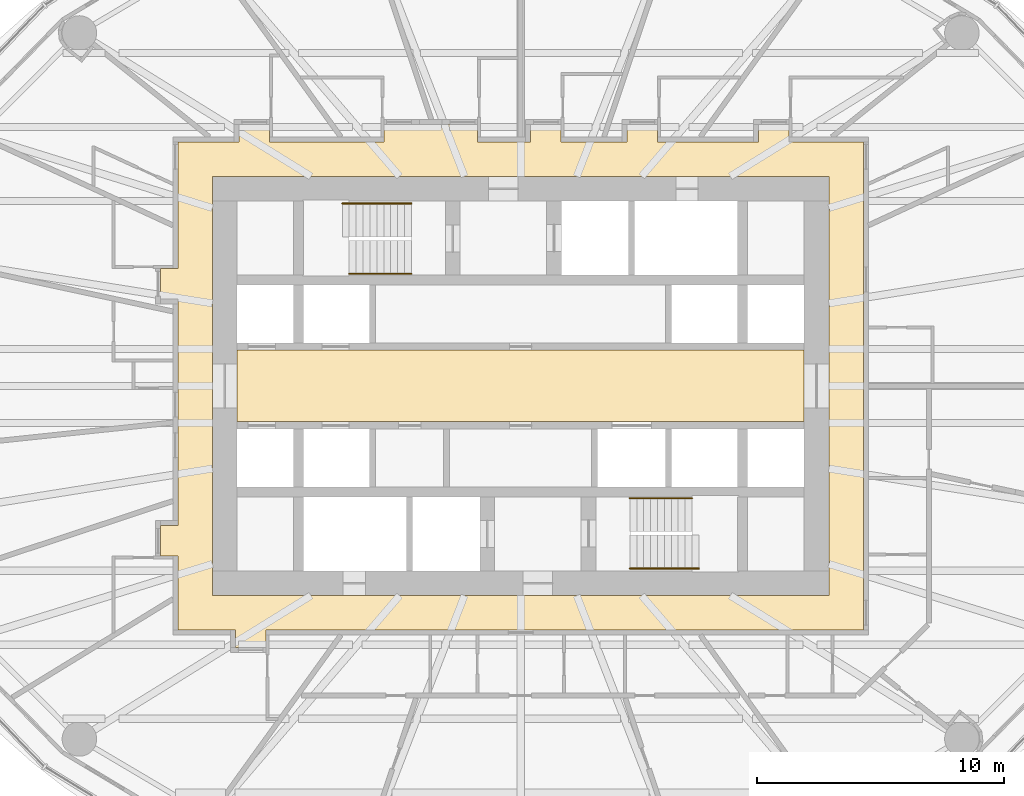
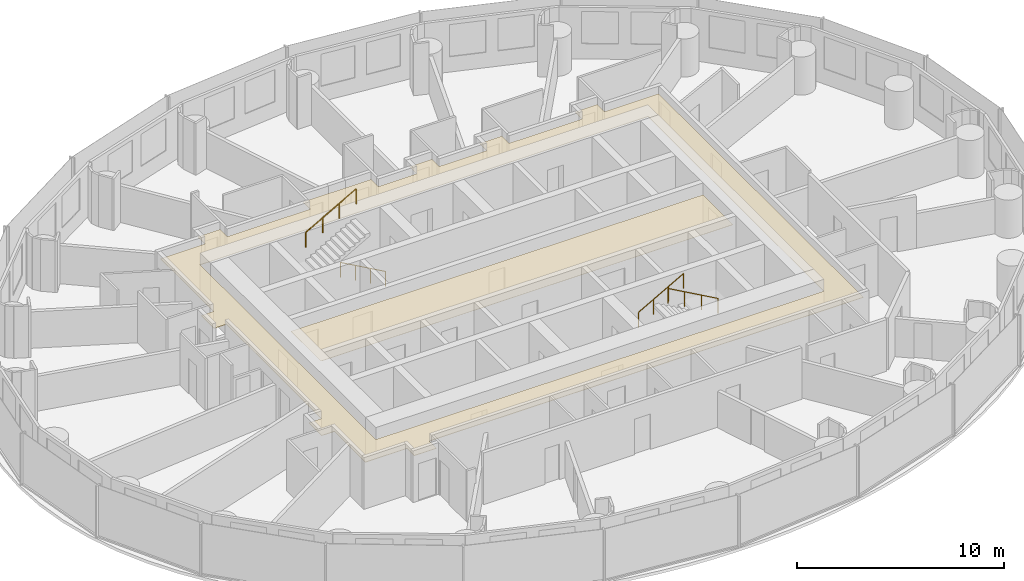
# One storey, part 14 of 14: 4 railings, 2 coverings.
"""IFC4 building model written with IfcOpenShell, lengths in metres."""

from ifc_helpers import new_model, si_unit, direction, frame, origin, origin_2d, place, context, subcontext, project, spatial, polyline, circle, outline, extrude, material, layer, layer_set, type_object, element, save


model = new_model("IFC4")

# Units and contexts
model_context = context("Model", 3, precision=1e-05, world=origin(), true_north=direction((0.0, 1.0)))
body_context = subcontext(model_context, "Body", "Model", "MODEL_VIEW")
ifc_project = project(units=[si_unit("LENGTHUNIT", "METRE"), si_unit("AREAUNIT", "SQUARE_METRE"), si_unit("VOLUMEUNIT", "CUBIC_METRE"), si_unit("PLANEANGLEUNIT", "RADIAN"), si_unit("MASSUNIT", "GRAM", prefix="KILO")], contexts=[model_context])

# Site, building, storey
site_placement = place(None, origin())
site = spatial("IfcSite", under=ifc_project, at=site_placement, CompositionType="ELEMENT")
building_placement = place(site_placement, origin())
building = spatial("IfcBuilding", under=site, at=building_placement, Name="Hankou Lantern Tower", CompositionType="ELEMENT")
storey_placement = place(building_placement, frame((0.0, 0.0, 90.300048828125)))
storey = spatial("IfcBuildingStorey", under=building, at=storey_placement, Name="L23", CompositionType="ELEMENT", Elevation=90.300048828125)

# Coverings
ifc_material_1 = material(Name="Black painted aluminium linear ceiling panels", Category="aluminium")
ifc_layer_1 = layer(ifc_material_1, 0.02490234375)
ifc_layer_set_1 = layer_set([ifc_layer_1], Name="Black painted aluminium linear ceiling panels")
covering_type_1 = type_object("IfcCoveringType", Name="CL1 CORRIDOR CEILING 25", PredefinedType="CEILING", material=ifc_layer_set_1)
covering_1_placement = place(storey_placement, frame((0.0, 0.0, 2.574951171875)))
element("IfcCovering", 1, at=covering_1_placement, inside=storey, type_object=covering_type_1, Name="Corridor ceiling L23", PredefinedType="CEILING", context=body_context, shape_type="SweptSolid", body=[
    extrude(outline(polyline([(-11.569091796875, -10.60009765625), (-10.3291015625, -10.60009765625), (-10.3291015625, -9.89990234375), (13.89990234375, -9.89990234375), (13.89990234375, 9.89990234375), (10.885009765625, 9.89990234375), (10.885009765625, 10.60009765625), (9.64501953125, 10.60009765625), (9.64501953125, 9.89990234375), (5.549072265625, 9.89990234375), (5.549072265625, 10.60009765625), (4.30908203125, 10.60009765625), (4.30908203125, 9.89990234375), (1.642822265625, 9.89990234375), (1.642822265625, 10.60009765625), (0.40283203125, 10.60009765625), (0.40283203125, 9.89990234375), (-1.739990234375, 9.89990234375), (-1.739990234375, 10.60009765625), (-5.549072265625, 10.60009765625), (-5.549072265625, 9.89990234375), (-10.178955078125, 9.89990234375), (-10.178955078125, 10.60009765625), (-11.4189453125, 10.60009765625), (-11.4189453125, 9.89990234375), (-13.89990234375, 9.89990234375), (-13.89990234375, 4.7724609375), (-14.60009765625, 4.7724609375), (-14.60009765625, 3.532470703125), (-13.89990234375, 3.532470703125), (-13.89990234375, -5.658935546875), (-14.60009765625, -5.658935546875), (-14.60009765625, -6.89892578125), (-13.89990234375, -6.89892578125), (-13.89990234375, -9.89990234375), (-11.569091796875, -9.89990234375), (-11.569091796875, -10.60009765625)]), holes=[polyline([(-12.5, 8.5), (12.5, 8.5), (12.5, -8.5), (-12.5, -8.5), (-12.5, 8.5)])]), origin(), (0.0, 0.0, 1.0), 0.02490234375),
])
ifc_material_2 = material(Name="Perforated black aluminium acoustic tray ceiling", Category="aluminium")
ifc_layer_2 = layer(ifc_material_2, 0.014892578125)
ifc_layer_set_2 = layer_set([ifc_layer_2], Name="Perforated black aluminium acoustic tray ceiling")
covering_type_2 = type_object("IfcCoveringType", Name="CL2 LIFT LOBBY CEILING 15", PredefinedType="CEILING", material=ifc_layer_set_2)
covering_2_placement = place(storey_placement, frame((0.0, 0.0, 2.5849609375)))
element("IfcCovering", 2, at=covering_2_placement, inside=storey, type_object=covering_type_2, Name="Lift lobby ceiling L23", PredefinedType="CEILING", context=body_context, shape_type="SweptSolid", body=[
    extrude(outline(polyline([(-11.5, -1.449951171875), (11.5, -1.449951171875), (11.5, 1.449951171875), (-11.5, 1.449951171875), (-11.5, -1.449951171875)])), origin(), (0.0, 0.0, 1.0), 0.014892578125),
])

# Railings
ifc_material_3 = material(Name="Steel handrail", Category="steel")
railing_type = type_object("IfcRailingType", Name="HR1 STAIR HANDRAIL", PredefinedType="HANDRAIL", material=ifc_material_3)
railing_1_placement = place(storey_placement, frame((-4.429931640625, 4.550048828125, 0.89990234375)))
element("IfcRailing", 3, at=railing_1_placement, inside=storey, type_object=railing_type, Name="Handrail stair STA L23 flight 1", PredefinedType="HANDRAIL", context=body_context, shape_type="SweptSolid", body=[
    extrude(circle(Radius=0.02392578125, at=origin_2d()), frame((0.0, 0.0, 0.8759765625), z_axis=(-0.872048945198, 0.0, 0.489418672692), x_axis=(0.0, -1.0, 0.0)), (0.0, 0.0, 1.0), 2.8896484375),
    extrude(circle(Radius=0.02099609375, at=origin_2d()), origin(), (0.0, 0.0, 1.0), 0.851806640625),
    extrude(circle(Radius=0.02099609375, at=origin_2d()), frame((-0.840087890625, 0.0, 0.471435546875)), (0.0, 0.0, 1.0), 0.851806640625),
    extrude(circle(Radius=0.02099609375, at=origin_2d()), frame((-1.679931640625, 0.0, 0.94287109375)), (0.0, 0.0, 1.0), 0.851806640625),
    extrude(circle(Radius=0.02099609375, at=origin_2d()), frame((-2.52001953125, 0.0, 1.414306640625)), (0.0, 0.0, 1.0), 0.851806640625),
])
railing_2_placement = place(storey_placement, frame((-7.22998046875, 7.39990234375, 2.471435546875)))
element("IfcRailing", 4, at=railing_2_placement, inside=storey, type_object=railing_type, Name="Handrail stair STA L23 flight 2", PredefinedType="HANDRAIL", context=body_context, shape_type="SweptSolid", body=[
    extrude(circle(Radius=0.02392578125, at=origin_2d()), frame((0.0, 0.0, 0.8759765625), z_axis=(0.872072602893, 0.0, 0.489376516891), x_axis=(0.0, 1.0, 0.0)), (0.0, 0.0, 1.0), 3.210693359375),
    extrude(circle(Radius=0.02099609375, at=origin_2d()), origin(), (0.0, 0.0, 1.0), 0.851806640625),
    extrude(circle(Radius=0.02099609375, at=origin_2d()), frame((0.933349609375, 0.0, 0.523681640625)), (0.0, 0.0, 1.0), 0.851806640625),
    extrude(circle(Radius=0.02099609375, at=origin_2d()), frame((1.86669921875, 0.0, 1.047607421875)), (0.0, 0.0, 1.0), 0.851806640625),
    extrude(circle(Radius=0.02099609375, at=origin_2d()), frame((2.800048828125, 0.0, 1.5712890625)), (0.0, 0.0, 1.0), 0.851806640625),
])
railing_3_placement = place(storey_placement, frame((4.429931640625, -4.550048828125, 0.89990234375)))
element("IfcRailing", 5, at=railing_3_placement, inside=storey, type_object=railing_type, Name="Handrail stair STB L23 flight 1", PredefinedType="HANDRAIL", context=body_context, shape_type="SweptSolid", body=[
    extrude(circle(Radius=0.02392578125, at=origin_2d()), frame((0.0, 0.0, 0.8759765625), z_axis=(0.872048945198, 0.0, 0.489418672692), x_axis=(0.0, 1.0, 0.0)), (0.0, 0.0, 1.0), 2.8896484375),
    extrude(circle(Radius=0.02099609375, at=origin_2d()), origin(), (0.0, 0.0, 1.0), 0.851806640625),
    extrude(circle(Radius=0.02099609375, at=origin_2d()), frame((0.840087890625, 0.0, 0.471435546875)), (0.0, 0.0, 1.0), 0.851806640625),
    extrude(circle(Radius=0.02099609375, at=origin_2d()), frame((1.679931640625, 0.0, 0.94287109375)), (0.0, 0.0, 1.0), 0.851806640625),
    extrude(circle(Radius=0.02099609375, at=origin_2d()), frame((2.52001953125, 0.0, 1.414306640625)), (0.0, 0.0, 1.0), 0.851806640625),
])
railing_4_placement = place(storey_placement, frame((7.22998046875, -7.39990234375, 2.471435546875)))
element("IfcRailing", 6, at=railing_4_placement, inside=storey, type_object=railing_type, Name="Handrail stair STB L23 flight 2", PredefinedType="HANDRAIL", context=body_context, shape_type="SweptSolid", body=[
    extrude(circle(Radius=0.02392578125, at=origin_2d()), frame((0.0, 0.0, 0.8759765625), z_axis=(-0.872072602893, 0.0, 0.489376516891), x_axis=(0.0, -1.0, 0.0)), (0.0, 0.0, 1.0), 3.210693359375),
    extrude(circle(Radius=0.02099609375, at=origin_2d()), origin(), (0.0, 0.0, 1.0), 0.851806640625),
    extrude(circle(Radius=0.02099609375, at=origin_2d()), frame((-0.933349609375, 0.0, 0.523681640625)), (0.0, 0.0, 1.0), 0.851806640625),
    extrude(circle(Radius=0.02099609375, at=origin_2d()), frame((-1.86669921875, 0.0, 1.047607421875)), (0.0, 0.0, 1.0), 0.851806640625),
    extrude(circle(Radius=0.02099609375, at=origin_2d()), frame((-2.800048828125, 0.0, 1.5712890625)), (0.0, 0.0, 1.0), 0.851806640625),
])

save(model, "model.ifc")
